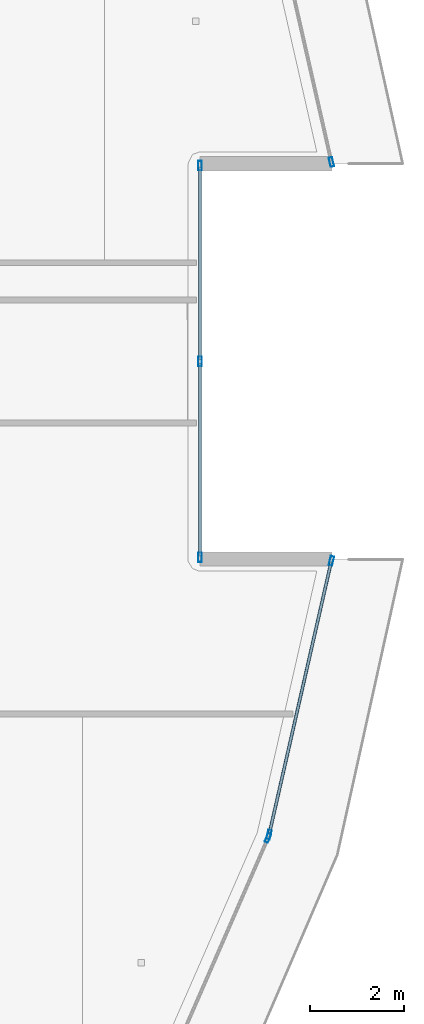
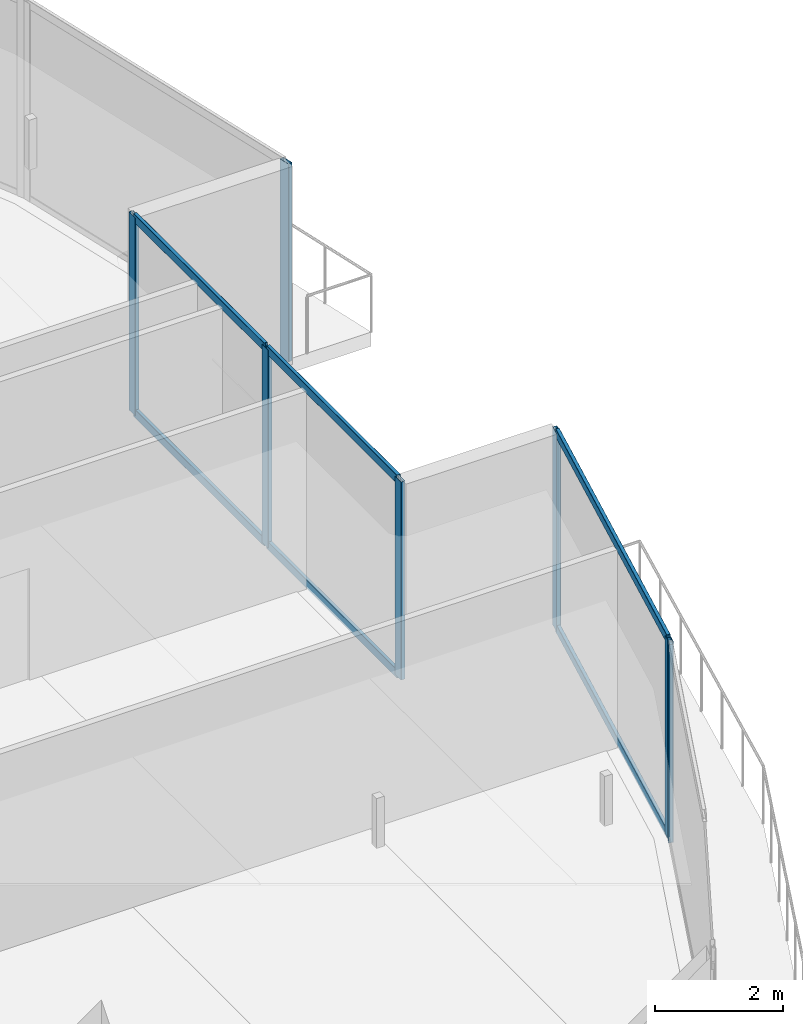
# One storey, part 15 of 40: 13 members, 4 elements without a shape of their own.
"""IFC4 building model written with IfcOpenShell, lengths in metres."""

import ifcopenshell
import ifcopenshell.guid

model = None  # the IFC model being written
_history = None  # IfcOwnerHistory: only IFC2X3 demands one
_inside = {}  # id of a spatial element -> (the spatial element, [elements in it])
_under = {}  # id of a project, library or spatial element -> (it, [spatial elements below it])
_declared = {}  # id of a project -> (the project, [libraries it declares])
_typed = {}  # id of a type object -> (the type object, [elements of that type])
_made_of = {}  # id of a material, layer set ... -> (it, [elements and type objects made of it])


def new_model(schema):
    """Start an empty IFC model of exactly this schema.

    Asked for "IFC4X3", IfcOpenShell would pick the latest addendum, in which some entities
    have other attributes; the version numbers below select the first issue.
    IFC2X3 requires an IfcOwnerHistory on every rooted entity: one is made here for all.
    """
    global model, _history
    if schema == "IFC4X3":
        model = ifcopenshell.file(schema_version=(4, 3, 0, 0))
    else:
        model = ifcopenshell.file(schema=schema)
    _inside.clear()
    _under.clear()
    _declared.clear()
    _typed.clear()
    _made_of.clear()
    _history = None
    if model.schema == "IFC2X3":
        org = make("IfcOrganization", Name="unknown")
        user = make(
            "IfcPersonAndOrganization",
            ThePerson=make("IfcPerson", FamilyName="unknown"),
            TheOrganization=org,
        )
        app = make(
            "IfcApplication",
            ApplicationDeveloper=org,
            Version="unknown",
            ApplicationFullName="unknown",
            ApplicationIdentifier="unknown",
        )
        _history = make(
            "IfcOwnerHistory",
            OwningUser=user,
            OwningApplication=app,
            ChangeAction="ADDED",
            CreationDate=0,
        )
    return model


def make(cls, **values):
    """One entity of the class cls with the attributes given. An attribute that is None is left unset."""
    return model.create_entity(
        cls, **{name: value for name, value in values.items() if value is not None}
    )


def rooted(cls, **values):
    """An entity with a GlobalId (a new one), such as an element, a storey or a relation."""
    return make(cls, GlobalId=ifcopenshell.guid.new(), OwnerHistory=_history, **values)


def si_unit(unit_type, name, prefix=None):
    """IfcSIUnit, for example si_unit("LENGTHUNIT", "METRE", prefix="MILLI")."""
    return make("IfcSIUnit", UnitType=unit_type, Prefix=prefix, Name=name)


def assignment(units):
    """IfcUnitAssignment: the units of a project."""
    return None if units is None else make("IfcUnitAssignment", Units=units)


def point(xyz):
    """IfcCartesianPoint."""
    return None if xyz is None else make("IfcCartesianPoint", Coordinates=xyz)


def direction(xyz):
    """IfcDirection."""
    return None if xyz is None else make("IfcDirection", DirectionRatios=xyz)


def frame(location, z_axis=None, x_axis=None):
    """IfcAxis2Placement3D, a coordinate frame: its origin and axes. An axis left out is left unset."""
    return make(
        "IfcAxis2Placement3D",
        Location=point(location),
        Axis=direction(z_axis),
        RefDirection=direction(x_axis),
    )


def frame_2d(location, x_axis=None):
    """IfcAxis2Placement2D, a coordinate frame in the plane: its origin and x axis."""
    return make(
        "IfcAxis2Placement2D", Location=point(location), RefDirection=direction(x_axis)
    )


def origin():
    """The frame at (0, 0, 0) with its axes left unset."""
    return frame((0.0, 0.0, 0.0))


def origin_2d():
    """The frame at (0, 0) in the plane with its x axis left unset."""
    return frame_2d((0.0, 0.0))


def place(relative_to, where):
    """IfcLocalPlacement: puts the frame where relative to a parent placement (None: the world)."""
    return make(
        "IfcLocalPlacement", PlacementRelTo=relative_to, RelativePlacement=where
    )


def context(
    kind, dimensions, precision=None, world=None, true_north=None, identifier=None
):
    """IfcGeometricRepresentationContext, for example the 3D "Model" context."""
    return make(
        "IfcGeometricRepresentationContext",
        ContextIdentifier=identifier,
        ContextType=kind,
        CoordinateSpaceDimension=dimensions,
        Precision=precision,
        WorldCoordinateSystem=world,
        TrueNorth=true_north,
    )


def subcontext(parent, identifier, kind, view, scale=None):
    """IfcGeometricRepresentationSubContext, for example "Body" below "Model"."""
    return make(
        "IfcGeometricRepresentationSubContext",
        ContextIdentifier=identifier,
        ContextType=kind,
        ParentContext=parent,
        TargetScale=scale,
        TargetView=view,
    )


def project(units=None, contexts=None):
    """IfcProject with its units and contexts."""
    return rooted(
        "IfcProject",
        Name="project",
        RepresentationContexts=contexts,
        UnitsInContext=assignment(units),
    )


def spatial(cls, under=None, at=None, **own):
    """A site, building, storey or space (cls), placed at a placement, below another one or the project."""
    s = rooted(cls, ObjectPlacement=at, **own)
    if under is not None:
        _under.setdefault(under.id(), (under, []))[1].append(s)
    return s


def profile(cls, at=None, kind="AREA", **sizes):
    """A parametric profile (cls). Its sizes go by their IFC names, for example OverallWidth=200.0."""
    return make(cls, ProfileType=kind, Position=at, **sizes)


def hollow_rectangle(**sizes):
    """IfcRectangleHollowProfileDef."""
    return profile("IfcRectangleHollowProfileDef", **sizes)


def extrude(swept, where, along, depth):
    """IfcExtrudedAreaSolid: the profile swept, set in the frame where, extruded along a direction by depth."""
    return make(
        "IfcExtrudedAreaSolid",
        SweptArea=swept,
        Position=where,
        ExtrudedDirection=direction(along),
        Depth=depth,
    )


def shape(context_of_items, identifier, shape_type, items):
    """IfcShapeRepresentation: the items that make up one representation, for example the "Body"."""
    return make(
        "IfcShapeRepresentation",
        ContextOfItems=context_of_items,
        RepresentationIdentifier=identifier,
        RepresentationType=shape_type,
        Items=items,
    )


def material(Name=None, Category=None):
    """IfcMaterial."""
    return make("IfcMaterial", Name=Name, Category=Category)


def layer(
    of_material, thickness, ventilated=None, Name=None, Category=None, Priority=None
):
    """IfcMaterialLayer: one layer of a wall or slab, of a material (None: an air gap)."""
    return make(
        "IfcMaterialLayer",
        Material=of_material,
        LayerThickness=thickness,
        IsVentilated=ventilated,
        Name=Name,
        Category=Category,
        Priority=Priority,
    )


def layer_set(layers, Name=None):
    """IfcMaterialLayerSet."""
    return make("IfcMaterialLayerSet", MaterialLayers=layers, LayerSetName=Name)


def material_profile(
    of_material, cross_section, Name=None, Category=None, Priority=None
):
    """IfcMaterialProfile: a cross section and its material."""
    return make(
        "IfcMaterialProfile",
        Name=Name,
        Material=of_material,
        Profile=cross_section,
        Priority=Priority,
        Category=Category,
    )


def profile_set(profiles, Name=None, composite=None):
    """IfcMaterialProfileSet."""
    return make(
        "IfcMaterialProfileSet",
        Name=Name,
        MaterialProfiles=profiles,
        CompositeProfile=composite,
    )


def made_of(thing, what):
    """Note that an element or type object is made of a material, layer set ...; save() writes the relation."""
    if what is not None:
        _made_of.setdefault(what.id(), (what, []))[1].append(thing)
    return thing


def type_object(cls, material=None, **own):
    """A type object (cls), such as IfcWallType, which elements share."""
    return made_of(rooted(cls, **own), material)


def element(
    cls,
    number,
    at=None,
    inside=None,
    cuts=None,
    type_object=None,
    material=None,
    context=None,
    identifier="Body",
    shape_type=None,
    held_by="IfcProductDefinitionShape",
    body=None,
    shapes=None,
    **own,
):
    """One element of the class cls, such as IfcWall. Its Tag is "e" and its number.

    at: its placement. inside: the storey or other place that contains it. cuts: it is an
    opening in that element (IfcRelVoidsElement). A single representation is given by context,
    identifier, shape_type and body (its items); several are given by shapes. held_by: the class
    of the entity that holds the representations. save() writes the other relations.
    """
    e = rooted(cls, Tag="e%d" % number, ObjectPlacement=at, **own)
    if body is not None:
        shapes = [shape(context, identifier, shape_type, body)]
    if shapes is not None:
        e.Representation = make(held_by, Representations=shapes)
    if inside is not None:
        _inside.setdefault(inside.id(), (inside, []))[1].append(e)
    if cuts is not None:
        rooted(
            "IfcRelVoidsElement", RelatingBuildingElement=cuts, RelatedOpeningElement=e
        )
    if type_object is not None:
        _typed.setdefault(type_object.id(), (type_object, []))[1].append(e)
    return made_of(e, material)


def aggregate(whole, parts):
    """IfcRelAggregates: a whole, such as a stair, and the parts it consists of."""
    return rooted("IfcRelAggregates", RelatingObject=whole, RelatedObjects=parts)


def save(model, path):
    """Write the relations noted so far, then the file.

    IfcRelAggregates (storeys below a building ...), IfcRelContainedInSpatialStructure (elements
    in a storey), IfcRelDefinesByType, IfcRelAssociatesMaterial and IfcRelDeclares: one each for
    every whole, place, type object, material and project.
    """
    for whole, parts in _under.values():
        aggregate(whole, parts)
    for where, things in _inside.values():
        rooted(
            "IfcRelContainedInSpatialStructure",
            RelatedElements=things,
            RelatingStructure=where,
        )
    for kind, things in _typed.values():
        rooted("IfcRelDefinesByType", RelatedObjects=things, RelatingType=kind)
    for what, things in _made_of.values():
        rooted("IfcRelAssociatesMaterial", RelatedObjects=things, RelatingMaterial=what)
    for by, libraries in _declared.values():
        rooted("IfcRelDeclares", RelatingContext=by, RelatedDefinitions=libraries)
    model.write(path)


model = new_model("IFC4")

# Units and contexts
model_context = context("Model", 3, precision=1e-05, world=origin(), true_north=direction((0.0, 1.0)))
body_context = subcontext(model_context, "Body", "Model", "MODEL_VIEW")
ifc_project = project(units=[si_unit("LENGTHUNIT", "METRE"), si_unit("AREAUNIT", "SQUARE_METRE"), si_unit("VOLUMEUNIT", "CUBIC_METRE"), si_unit("PLANEANGLEUNIT", "RADIAN"), si_unit("MASSUNIT", "GRAM", prefix="KILO")], contexts=[model_context])

# Site, building, storey
site_placement = place(None, origin())
site = spatial("IfcSite", under=ifc_project, at=site_placement, CompositionType="ELEMENT")
building_placement = place(site_placement, origin())
building = spatial("IfcBuilding", under=site, at=building_placement, Name="Qorvath Tower", CompositionType="ELEMENT")
storey_placement = place(building_placement, frame((0.0, 0.0, 225.300048828125)))
storey = spatial("IfcBuildingStorey", under=building, at=storey_placement, Name="L52", CompositionType="ELEMENT", Elevation=225.300048828125)

# Curtain wall, member
ifc_material_1 = material(Name="Anodised aluminium and triple low-E glass", Category="aluminium")
ifc_layer = layer(ifc_material_1, 0.179931640625)
ifc_layer_set = layer_set([ifc_layer], Name="CW-SYS-5")
curtain_wall_type = type_object("IfcCurtainWallType", Name="CW-SYS-5", PredefinedType="NOTDEFINED", material=ifc_layer_set)
curtain_wall_1_placement = place(storey_placement, origin())
curtain_wall_1 = element("IfcCurtainWall", 1, at=curtain_wall_1_placement, inside=storey, type_object=curtain_wall_type, Name="Curtain Wall CW-5 CW-T-L52-8.1", PredefinedType="NOTDEFINED")
ifc_material_2 = material(Name="Anodised aluminium 6063-T6", Category="aluminium")
ifc_material_profile_1 = material_profile(ifc_material_2, hollow_rectangle(XDim=0.074951171875, YDim=0.199951171875, WallThickness=0.00390625, InnerFilletRadius=0.00390625, OuterFilletRadius=0.008056640625, at=origin_2d()), Name="CWM 200x75")
ifc_profile_set_1 = profile_set([ifc_material_profile_1], Name="Anodised aluminium 6063-T6")
member_type_1 = type_object("IfcMemberType", Name="CWM-200", PredefinedType="MULLION", material=ifc_profile_set_1)
member_1_placement = place(storey_placement, frame((-0.641357421875, -10.112548828125, 0.0), z_axis=(0.0, 0.0, 1.0), x_axis=(-0.916784683156, 0.399381828243, 0.0)))
member_1 = element("IfcMember", 2, at=member_1_placement, type_object=member_type_1, Name="CW-5 mullion 2", PredefinedType="MULLION", context=body_context, shape_type="SweptSolid", body=[
    extrude(hollow_rectangle(XDim=0.074951171875, YDim=0.199951171875, WallThickness=0.00390625, InnerFilletRadius=0.00390625, OuterFilletRadius=0.008056640625, at=origin_2d()), origin(), (0.0, 0.0, 1.0), 3.780029296875),
])
aggregate(curtain_wall_1, [member_1])

# Curtain wall, members
curtain_wall_2_placement = place(storey_placement, origin())
curtain_wall_2 = element("IfcCurtainWall", 3, at=curtain_wall_2_placement, inside=storey, type_object=curtain_wall_type, Name="Curtain Wall CW-5 CW-T-L52-9.1", PredefinedType="NOTDEFINED")
member_2_placement = place(storey_placement, frame((-0.6181640625, -10.04150390625, 0.0), z_axis=(0.0, 0.0, 1.0), x_axis=(-0.97505349533, 0.221970000777, 0.0)))
member_2 = element("IfcMember", 4, at=member_2_placement, type_object=member_type_1, Name="CW-5 mullion 1", PredefinedType="MULLION", context=body_context, shape_type="SweptSolid", body=[
    extrude(hollow_rectangle(XDim=0.074951171875, YDim=0.199951171875, WallThickness=0.00390625, InnerFilletRadius=0.00390625, OuterFilletRadius=0.008056640625, at=origin_2d()), origin(), (0.0, 0.0, 1.0), 3.780029296875),
])
member_3_placement = place(storey_placement, frame((0.704345703125, -4.232421875, 0.0), z_axis=(0.0, 0.0, 1.0), x_axis=(-0.97505349533, 0.221970000777, 0.0)))
member_3 = element("IfcMember", 5, at=member_3_placement, type_object=member_type_1, Name="CW-5 mullion 2", PredefinedType="MULLION", context=body_context, shape_type="SweptSolid", body=[
    extrude(hollow_rectangle(XDim=0.074951171875, YDim=0.199951171875, WallThickness=0.00390625, InnerFilletRadius=0.00390625, OuterFilletRadius=0.008056640625, at=origin_2d()), origin(), (0.0, 0.0, 1.0), 3.780029296875),
])

curtain_wall_3_placement = place(storey_placement, origin())
curtain_wall_3 = element("IfcCurtainWall", 6, at=curtain_wall_3_placement, inside=storey, type_object=curtain_wall_type, Name="Curtain Wall CW-5 CW-T-L52-11.1", PredefinedType="NOTDEFINED")
member_4_placement = place(storey_placement, frame((-2.08447265625, -4.158203125, 0.0), z_axis=(0.0, 0.0, 1.0), x_axis=(-1.0, 0.0, 0.0)))
member_4 = element("IfcMember", 7, at=member_4_placement, type_object=member_type_1, Name="CW-5 mullion 1", PredefinedType="MULLION", context=body_context, shape_type="SweptSolid", body=[
    extrude(hollow_rectangle(XDim=0.074951171875, YDim=0.199951171875, WallThickness=0.00390625, InnerFilletRadius=0.00390625, OuterFilletRadius=0.008056640625, at=origin_2d()), origin(), (0.0, 0.0, 1.0), 3.780029296875),
])
member_5_placement = place(storey_placement, frame((-2.08447265625, 0.0, 0.0), z_axis=(0.0, 0.0, 1.0), x_axis=(-1.0, 0.0, 0.0)))
member_5 = element("IfcMember", 8, at=member_5_placement, type_object=member_type_1, Name="CW-5 mullion 2", PredefinedType="MULLION", context=body_context, shape_type="SweptSolid", body=[
    extrude(hollow_rectangle(XDim=0.074951171875, YDim=0.199951171875, WallThickness=0.00390625, InnerFilletRadius=0.00390625, OuterFilletRadius=0.008056640625, at=origin_2d()), origin(), (0.0, 0.0, 1.0), 3.780029296875),
])
member_6_placement = place(storey_placement, frame((-2.08447265625, 4.158203125, 0.0), z_axis=(0.0, 0.0, 1.0), x_axis=(-1.0, 0.0, 0.0)))
member_6 = element("IfcMember", 9, at=member_6_placement, type_object=member_type_1, Name="CW-5 mullion 3", PredefinedType="MULLION", context=body_context, shape_type="SweptSolid", body=[
    extrude(hollow_rectangle(XDim=0.074951171875, YDim=0.199951171875, WallThickness=0.00390625, InnerFilletRadius=0.00390625, OuterFilletRadius=0.008056640625, at=origin_2d()), origin(), (0.0, 0.0, 1.0), 3.780029296875),
])

# Curtain wall, member
curtain_wall_4_placement = place(storey_placement, origin())
curtain_wall_4 = element("IfcCurtainWall", 10, at=curtain_wall_4_placement, inside=storey, type_object=curtain_wall_type, Name="Curtain Wall CW-5 CW-T-L52-13.1", PredefinedType="NOTDEFINED")
member_7_placement = place(storey_placement, frame((0.704345703125, 4.232421875, 0.0), z_axis=(0.0, 0.0, 1.0), x_axis=(-0.97505349533, -0.221970000777, 0.0)))
member_7 = element("IfcMember", 11, at=member_7_placement, type_object=member_type_1, Name="CW-5 mullion 1", PredefinedType="MULLION", context=body_context, shape_type="SweptSolid", body=[
    extrude(hollow_rectangle(XDim=0.074951171875, YDim=0.199951171875, WallThickness=0.00390625, InnerFilletRadius=0.00390625, OuterFilletRadius=0.008056640625, at=origin_2d()), origin(), (0.0, 0.0, 1.0), 3.780029296875),
])
aggregate(curtain_wall_4, [member_7])

# Member
ifc_material_3 = material(Name="Anodised aluminium 6063-T6", Category="aluminium")
ifc_material_profile_2 = material_profile(ifc_material_3, hollow_rectangle(XDim=0.06494140625, YDim=0.159912109375, WallThickness=0.00341796875, InnerFilletRadius=0.00341796875, OuterFilletRadius=0.007080078125, at=origin_2d()), Name="CWT 160x65")
ifc_profile_set_2 = profile_set([ifc_material_profile_2], Name="Anodised aluminium 6063-T6")
member_type_2 = type_object("IfcMemberType", Name="CWT-160", PredefinedType="USERDEFINED", material=ifc_profile_set_2)
member_8_placement = place(storey_placement, frame((-0.60986328125, -10.0048828125, 0.032470703125), z_axis=(0.221994197684, 0.975047986611, 0.0), x_axis=(-0.975047986611, 0.221994197684, 0.0)))
member_8 = element("IfcMember", 12, at=member_8_placement, type_object=member_type_2, Name="CW-5 transom 1.1", ObjectType="TRANSOM", PredefinedType="USERDEFINED", context=body_context, shape_type="SweptSolid", body=[
    extrude(hollow_rectangle(XDim=0.06494140625, YDim=0.159912109375, WallThickness=0.00341796875, InnerFilletRadius=0.00341796875, OuterFilletRadius=0.007080078125, at=origin_2d()), origin(), (0.0, 0.0, 1.0), 5.882568359375),
])

member_9_placement = place(storey_placement, frame((-0.60986328125, -10.0048828125, 3.74755859375), z_axis=(0.221994197684, 0.975047986611, 0.0), x_axis=(-0.975047986611, 0.221994197684, 0.0)))
member_9 = element("IfcMember", 13, at=member_9_placement, type_object=member_type_2, Name="CW-5 transom 1.2", ObjectType="TRANSOM", PredefinedType="USERDEFINED", context=body_context, shape_type="SweptSolid", body=[
    extrude(hollow_rectangle(XDim=0.06494140625, YDim=0.159912109375, WallThickness=0.00341796875, InnerFilletRadius=0.00341796875, OuterFilletRadius=0.007080078125, at=origin_2d()), origin(), (0.0, 0.0, 1.0), 5.882568359375),
])

aggregate(curtain_wall_2, [member_2, member_3, member_8, member_9])

member_10_placement = place(storey_placement, frame((-2.08447265625, -4.120849609375, 0.032470703125), z_axis=(0.0, 1.0, 0.0), x_axis=(-1.0, 0.0, 0.0)))
member_10 = element("IfcMember", 14, at=member_10_placement, type_object=member_type_2, Name="CW-5 transom 1.1", ObjectType="TRANSOM", PredefinedType="USERDEFINED", context=body_context, shape_type="SweptSolid", body=[
    extrude(hollow_rectangle(XDim=0.06494140625, YDim=0.159912109375, WallThickness=0.00341796875, InnerFilletRadius=0.00341796875, OuterFilletRadius=0.007080078125, at=origin_2d()), origin(), (0.0, 0.0, 1.0), 4.083251953125),
])

member_11_placement = place(storey_placement, frame((-2.08447265625, -4.120849609375, 3.74755859375), z_axis=(0.0, 1.0, 0.0), x_axis=(-1.0, 0.0, 0.0)))
member_11 = element("IfcMember", 15, at=member_11_placement, type_object=member_type_2, Name="CW-5 transom 1.2", ObjectType="TRANSOM", PredefinedType="USERDEFINED", context=body_context, shape_type="SweptSolid", body=[
    extrude(hollow_rectangle(XDim=0.06494140625, YDim=0.159912109375, WallThickness=0.00341796875, InnerFilletRadius=0.00341796875, OuterFilletRadius=0.007080078125, at=origin_2d()), origin(), (0.0, 0.0, 1.0), 4.083251953125),
])

member_12_placement = place(storey_placement, frame((-2.08447265625, 0.03759765625, 0.032470703125), z_axis=(0.0, 1.0, 0.0), x_axis=(-1.0, 0.0, 0.0)))
member_12 = element("IfcMember", 16, at=member_12_placement, type_object=member_type_2, Name="CW-5 transom 2.1", ObjectType="TRANSOM", PredefinedType="USERDEFINED", context=body_context, shape_type="SweptSolid", body=[
    extrude(hollow_rectangle(XDim=0.06494140625, YDim=0.159912109375, WallThickness=0.00341796875, InnerFilletRadius=0.00341796875, OuterFilletRadius=0.007080078125, at=origin_2d()), origin(), (0.0, 0.0, 1.0), 4.083251953125),
])

member_13_placement = place(storey_placement, frame((-2.08447265625, 0.03759765625, 3.74755859375), z_axis=(0.0, 1.0, 0.0), x_axis=(-1.0, 0.0, 0.0)))
member_13 = element("IfcMember", 17, at=member_13_placement, type_object=member_type_2, Name="CW-5 transom 2.2", ObjectType="TRANSOM", PredefinedType="USERDEFINED", context=body_context, shape_type="SweptSolid", body=[
    extrude(hollow_rectangle(XDim=0.06494140625, YDim=0.159912109375, WallThickness=0.00341796875, InnerFilletRadius=0.00341796875, OuterFilletRadius=0.007080078125, at=origin_2d()), origin(), (0.0, 0.0, 1.0), 4.083251953125),
])

aggregate(curtain_wall_3, [member_4, member_5, member_6, member_10, member_11, member_12, member_13])

save(model, "model.ifc")
